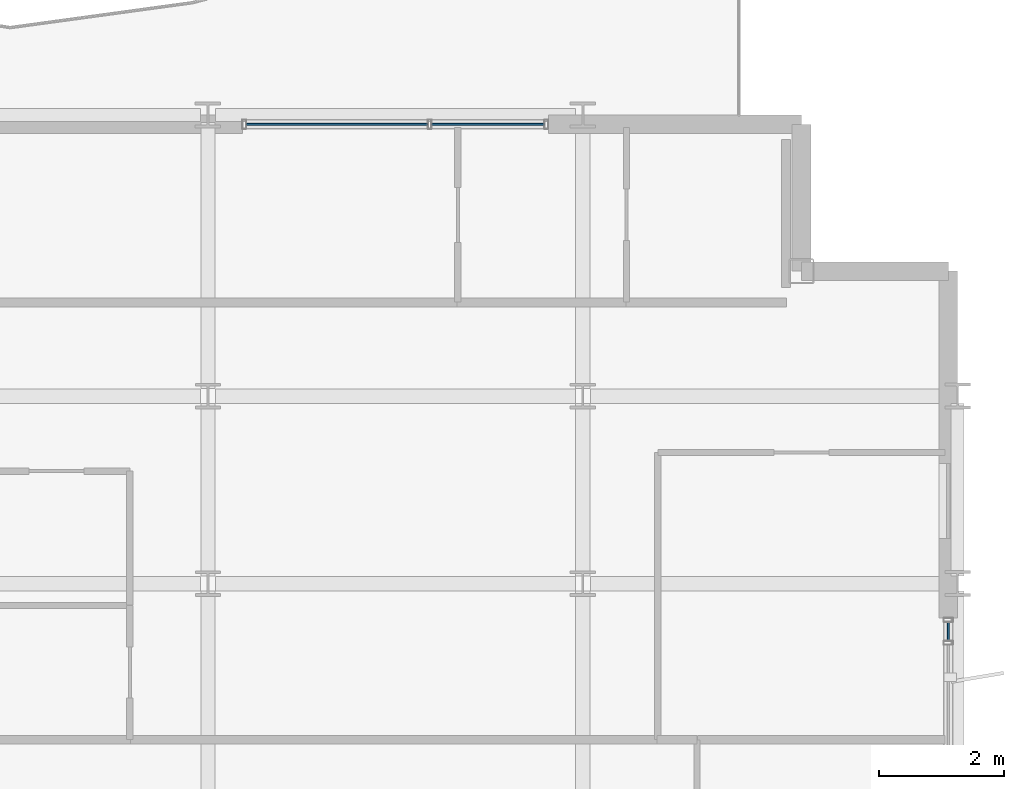
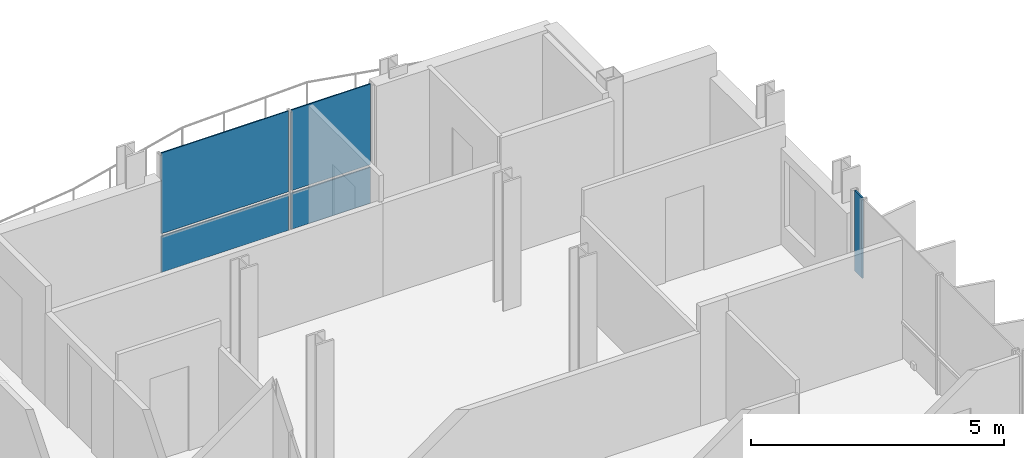
# One storey, part 26 of 39: 5 plates, 2 elements without a shape of their own.
"""IFC4 building model written with IfcOpenShell, lengths in metres."""

from ifc_helpers import new_model, si_unit, direction, frame, origin, origin_2d, place, context, subcontext, project, spatial, rectangle, extrude, material, layer, layer_set, type_object, element, aggregate, save


model = new_model("IFC4")

# Units and contexts
model_context = context("Model", 3, precision=1e-05, world=origin(), true_north=direction((0.0, 1.0)))
body_context = subcontext(model_context, "Body", "Model", "MODEL_VIEW")
ifc_project = project(units=[si_unit("LENGTHUNIT", "METRE"), si_unit("AREAUNIT", "SQUARE_METRE"), si_unit("VOLUMEUNIT", "CUBIC_METRE"), si_unit("PLANEANGLEUNIT", "RADIAN"), si_unit("MASSUNIT", "GRAM", prefix="KILO")], contexts=[model_context])

# Site, building, storey
site_placement = place(None, origin())
site = spatial("IfcSite", under=ifc_project, at=site_placement, CompositionType="ELEMENT")
building_placement = place(site_placement, origin())
building = spatial("IfcBuilding", under=site, at=building_placement, Name="Brevholm Reach", CompositionType="ELEMENT")
storey_placement = place(building_placement, frame((0.0, 0.0, 154.199951171875)))
storey = spatial("IfcBuildingStorey", under=building, at=storey_placement, Name="L46", CompositionType="ELEMENT", Elevation=154.199951171875)

# Curtain wall, plate
ifc_material_1 = material(Name="Dark Anodised Aluminium 6063-T6 and Solar-Control Glass", Category="aluminium")
ifc_layer_1 = layer(ifc_material_1, 0.14990234375)
ifc_layer_set_1 = layer_set([ifc_layer_1], Name="Dark Anodised Aluminium 6063-T6 and Solar-Control Glass")
curtain_wall_type = type_object("IfcCurtainWallType", Name="CW-01", PredefinedType="NOTDEFINED", material=ifc_layer_set_1)
curtain_wall_1_placement = place(storey_placement, origin())
curtain_wall_1 = element("IfcCurtainWall", 1, at=curtain_wall_1_placement, inside=storey, type_object=curtain_wall_type, Name="L46 Curtain Wall CW-01", PredefinedType="NOTDEFINED")
ifc_material_2 = material(Name="Dark Solar-Control Double-Glazed IGU Glass", Category="glass")
ifc_layer_2 = layer(ifc_material_2, 0.028076171875)
ifc_layer_set_2 = layer_set([ifc_layer_2], Name="Dark Solar-Control Double-Glazed IGU Glass")
plate_type = type_object("IfcPlateType", Name="CWP-GLZ-28", PredefinedType="CURTAIN_PANEL", material=ifc_layer_set_2)
plate_1_placement = place(storey_placement, frame((59.85009765625, 22.733642578125, 0.9326171875), z_axis=(0.0, 0.0, 1.0), x_axis=(0.0, 1.0, 0.0)))
plate_1 = element("IfcPlate", 2, at=plate_1_placement, type_object=plate_type, Name="CP-01 Glazing Panel 5.2", PredefinedType="CURTAIN_PANEL", context=body_context, shape_type="SweptSolid", body=[
    extrude(rectangle(XDim=0.302490234375, YDim=0.028076171875, at=origin_2d()), origin(), (0.0, 0.0, 1.0), 1.947509765625),
])
aggregate(curtain_wall_1, [plate_1])

# Curtain wall, plates
curtain_wall_2_placement = place(storey_placement, origin())
curtain_wall_2 = element("IfcCurtainWall", 3, at=curtain_wall_2_placement, inside=storey, type_object=curtain_wall_type, Name="L46 Curtain Wall CW-01", PredefinedType="NOTDEFINED")
plate_2_placement = place(storey_placement, frame((50.066162109375, 30.85009765625, 0.0), z_axis=(0.0, 0.0, 1.0), x_axis=(1.0, 0.0, 0.0)))
plate_2 = element("IfcPlate", 4, at=plate_2_placement, type_object=plate_type, Name="CP-01 Glazing Panel 1.1", PredefinedType="CURTAIN_PANEL", context=body_context, shape_type="SweptSolid", body=[
    extrude(rectangle(XDim=2.902587890625, YDim=0.028076171875, at=origin_2d()), origin(), (0.0, 0.0, 1.0), 0.867431640625),
])
plate_3_placement = place(storey_placement, frame((50.066162109375, 30.85009765625, 0.9326171875), z_axis=(0.0, 0.0, 1.0), x_axis=(1.0, 0.0, 0.0)))
plate_3 = element("IfcPlate", 5, at=plate_3_placement, type_object=plate_type, Name="CP-01 Glazing Panel 1.2", PredefinedType="CURTAIN_PANEL", context=body_context, shape_type="SweptSolid", body=[
    extrude(rectangle(XDim=2.902587890625, YDim=0.028076171875, at=origin_2d()), origin(), (0.0, 0.0, 1.0), 1.947509765625),
])
plate_4_placement = place(storey_placement, frame((52.483642578125, 30.85009765625, 0.0), z_axis=(0.0, 0.0, 1.0), x_axis=(1.0, 0.0, 0.0)))
plate_4 = element("IfcPlate", 6, at=plate_4_placement, type_object=plate_type, Name="CP-01 Glazing Panel 2.1", PredefinedType="CURTAIN_PANEL", context=body_context, shape_type="SweptSolid", body=[
    extrude(rectangle(XDim=1.802490234375, YDim=0.028076171875, at=origin_2d()), origin(), (0.0, 0.0, 1.0), 0.867431640625),
])
plate_5_placement = place(storey_placement, frame((52.483642578125, 30.85009765625, 0.9326171875), z_axis=(0.0, 0.0, 1.0), x_axis=(1.0, 0.0, 0.0)))
plate_5 = element("IfcPlate", 7, at=plate_5_placement, type_object=plate_type, Name="CP-01 Glazing Panel 2.2", PredefinedType="CURTAIN_PANEL", context=body_context, shape_type="SweptSolid", body=[
    extrude(rectangle(XDim=1.802490234375, YDim=0.028076171875, at=origin_2d()), origin(), (0.0, 0.0, 1.0), 1.947509765625),
])
aggregate(curtain_wall_2, [plate_2, plate_3, plate_4, plate_5])

save(model, "model.ifc")
